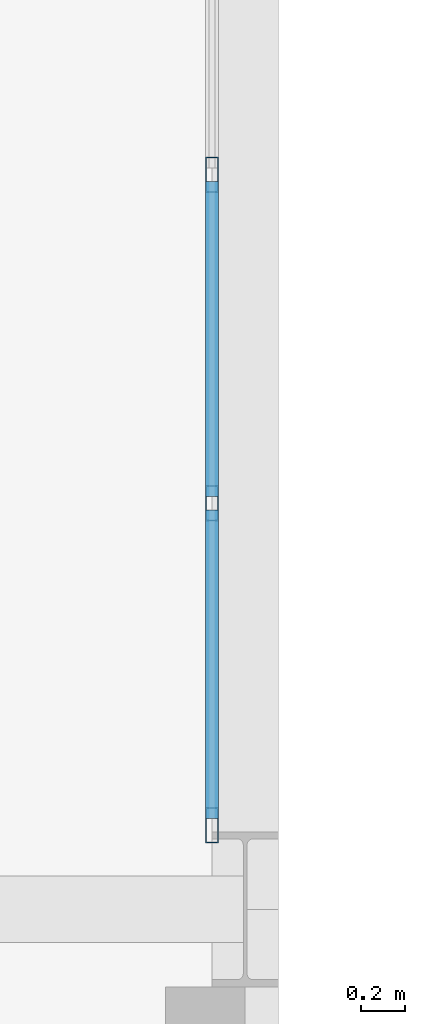
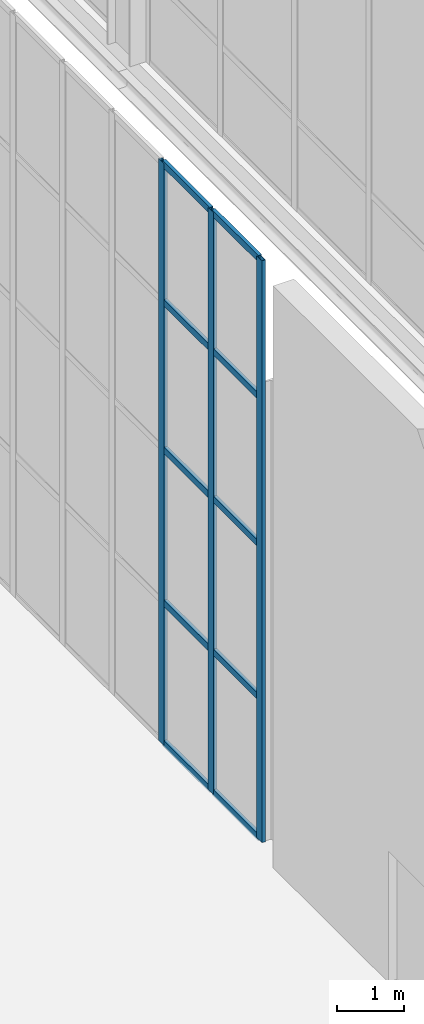
# One storey, part 55 of 131: 13 members, 1 element without a shape of its own.
"""IFC4 building model written with IfcOpenShell, lengths in metres."""

from ifc_helpers import new_model, si_unit, direction, frame, origin, origin_2d, place, context, subcontext, project, spatial, hollow_rectangle, extrude, material, material_profile, profile_set, type_object, element, aggregate, save


model = new_model("IFC4")

# Units and contexts
model_context = context("Model", 3, precision=1e-05, world=origin(), true_north=direction((0.0, 1.0)))
body_context = subcontext(model_context, "Body", "Model", "MODEL_VIEW")
ifc_project = project(units=[si_unit("LENGTHUNIT", "METRE"), si_unit("AREAUNIT", "SQUARE_METRE"), si_unit("VOLUMEUNIT", "CUBIC_METRE"), si_unit("PLANEANGLEUNIT", "RADIAN"), si_unit("MASSUNIT", "GRAM", prefix="KILO")], contexts=[model_context])

# Site, building, storey
site_placement = place(None, origin())
site = spatial("IfcSite", under=ifc_project, at=site_placement, CompositionType="ELEMENT")
building_placement = place(site_placement, origin())
building = spatial("IfcBuilding", under=site, at=building_placement, Name="Veltarok Museum of Natural Sciences", CompositionType="ELEMENT")
storey_placement = place(building_placement, origin())
storey = spatial("IfcBuildingStorey", under=building, at=storey_placement, Name="L00", CompositionType="ELEMENT", Elevation=0.0)

# Curtain wall, members
ifc_material_1 = material(Name="Low-iron triple insulated glass", Category="glass")
curtain_wall_type = type_object("IfcCurtainWallType", Name="Curtain Wall System CW-PAS-NE-JK-890x1065 (Sculpture Court East Passage J-K 890x1065cm)", PredefinedType="NOTDEFINED", material=ifc_material_1)
curtain_wall_placement = place(storey_placement, origin())
curtain_wall = element("IfcCurtainWall", 1, at=curtain_wall_placement, inside=storey, type_object=curtain_wall_type, Name="Curtain Wall CW-PAS-NE-JK-890x1065 CW-0047", PredefinedType="NOTDEFINED")
ifc_material_2 = material(Name="Thermally broken anodised aluminium", Category="aluminium")
ifc_material_profile_1 = material_profile(ifc_material_2, hollow_rectangle(XDim=0.06005859375, YDim=0.1201171875, WallThickness=0.0048828125, at=origin_2d()), Name="CW TRANSOM 60x120x5")
ifc_profile_set_1 = profile_set([ifc_material_profile_1], Name="Thermally broken anodised aluminium")
member_type_1 = type_object("IfcMemberType", Name="Curtain Wall Horizontal Transom 60x120x5", PredefinedType="USERDEFINED", material=ifc_profile_set_1)
member_1_placement = place(storey_placement, frame((48.25, 82.010009765625, 0.030029296875), z_axis=(0.0, 1.0, 0.0), x_axis=(-1.0, 0.0, 0.0)))
member_1 = element("IfcMember", 2, at=member_1_placement, type_object=member_type_1, Name="CW-PAS-NE-JK-890x1065 transom 1.1", ObjectType="TRANSOM", PredefinedType="USERDEFINED", context=body_context, shape_type="SweptSolid", body=[
    extrude(hollow_rectangle(XDim=0.06005859375, YDim=0.1201171875, WallThickness=0.0048828125, at=origin_2d()), origin(), (0.0, 0.0, 1.0), 1.393310546875),
])
member_2_placement = place(storey_placement, frame((48.25, 82.010009765625, 2.60009765625), z_axis=(0.0, 1.0, 0.0), x_axis=(-1.0, 0.0, 0.0)))
member_2 = element("IfcMember", 3, at=member_2_placement, type_object=member_type_1, Name="CW-PAS-NE-JK-890x1065 transom 1.2", ObjectType="TRANSOM", PredefinedType="USERDEFINED", context=body_context, shape_type="SweptSolid", body=[
    extrude(hollow_rectangle(XDim=0.06005859375, YDim=0.1201171875, WallThickness=0.0048828125, at=origin_2d()), origin(), (0.0, 0.0, 1.0), 1.393310546875),
])
member_3_placement = place(storey_placement, frame((48.25, 82.010009765625, 5.39990234375), z_axis=(0.0, 1.0, 0.0), x_axis=(-1.0, 0.0, 0.0)))
member_3 = element("IfcMember", 4, at=member_3_placement, type_object=member_type_1, Name="CW-PAS-NE-JK-890x1065 transom 1.3", ObjectType="TRANSOM", PredefinedType="USERDEFINED", context=body_context, shape_type="SweptSolid", body=[
    extrude(hollow_rectangle(XDim=0.06005859375, YDim=0.1201171875, WallThickness=0.0048828125, at=origin_2d()), origin(), (0.0, 0.0, 1.0), 1.393310546875),
])
member_4_placement = place(storey_placement, frame((48.25, 82.010009765625, 8.10009765625), z_axis=(0.0, 1.0, 0.0), x_axis=(-1.0, 0.0, 0.0)))
member_4 = element("IfcMember", 5, at=member_4_placement, type_object=member_type_1, Name="CW-PAS-NE-JK-890x1065 transom 1.4", ObjectType="TRANSOM", PredefinedType="USERDEFINED", context=body_context, shape_type="SweptSolid", body=[
    extrude(hollow_rectangle(XDim=0.06005859375, YDim=0.1201171875, WallThickness=0.0048828125, at=origin_2d()), origin(), (0.0, 0.0, 1.0), 1.393310546875),
])
member_5_placement = place(storey_placement, frame((48.25, 82.010009765625, 10.6201171875), z_axis=(0.0, 1.0, 0.0), x_axis=(-1.0, 0.0, 0.0)))
member_5 = element("IfcMember", 6, at=member_5_placement, type_object=member_type_1, Name="CW-PAS-NE-JK-890x1065 transom 1.5", ObjectType="TRANSOM", PredefinedType="USERDEFINED", context=body_context, shape_type="SweptSolid", body=[
    extrude(hollow_rectangle(XDim=0.06005859375, YDim=0.1201171875, WallThickness=0.0048828125, at=origin_2d()), origin(), (0.0, 0.0, 1.0), 1.393310546875),
])
member_6_placement = place(storey_placement, frame((48.25, 83.46337890625, 0.030029296875), z_axis=(0.0, 1.0, 0.0), x_axis=(-1.0, 0.0, 0.0)))
member_6 = element("IfcMember", 7, at=member_6_placement, type_object=member_type_1, Name="CW-PAS-NE-JK-890x1065 transom 2.1", ObjectType="TRANSOM", PredefinedType="USERDEFINED", context=body_context, shape_type="SweptSolid", body=[
    extrude(hollow_rectangle(XDim=0.06005859375, YDim=0.1201171875, WallThickness=0.0048828125, at=origin_2d()), origin(), (0.0, 0.0, 1.0), 1.42333984375),
])
member_7_placement = place(storey_placement, frame((48.25, 83.46337890625, 2.60009765625), z_axis=(0.0, 1.0, 0.0), x_axis=(-1.0, 0.0, 0.0)))
member_7 = element("IfcMember", 8, at=member_7_placement, type_object=member_type_1, Name="CW-PAS-NE-JK-890x1065 transom 2.2", ObjectType="TRANSOM", PredefinedType="USERDEFINED", context=body_context, shape_type="SweptSolid", body=[
    extrude(hollow_rectangle(XDim=0.06005859375, YDim=0.1201171875, WallThickness=0.0048828125, at=origin_2d()), origin(), (0.0, 0.0, 1.0), 1.42333984375),
])
member_8_placement = place(storey_placement, frame((48.25, 83.46337890625, 5.39990234375), z_axis=(0.0, 1.0, 0.0), x_axis=(-1.0, 0.0, 0.0)))
member_8 = element("IfcMember", 9, at=member_8_placement, type_object=member_type_1, Name="CW-PAS-NE-JK-890x1065 transom 2.3", ObjectType="TRANSOM", PredefinedType="USERDEFINED", context=body_context, shape_type="SweptSolid", body=[
    extrude(hollow_rectangle(XDim=0.06005859375, YDim=0.1201171875, WallThickness=0.0048828125, at=origin_2d()), origin(), (0.0, 0.0, 1.0), 1.42333984375),
])
member_9_placement = place(storey_placement, frame((48.25, 83.46337890625, 8.10009765625), z_axis=(0.0, 1.0, 0.0), x_axis=(-1.0, 0.0, 0.0)))
member_9 = element("IfcMember", 10, at=member_9_placement, type_object=member_type_1, Name="CW-PAS-NE-JK-890x1065 transom 2.4", ObjectType="TRANSOM", PredefinedType="USERDEFINED", context=body_context, shape_type="SweptSolid", body=[
    extrude(hollow_rectangle(XDim=0.06005859375, YDim=0.1201171875, WallThickness=0.0048828125, at=origin_2d()), origin(), (0.0, 0.0, 1.0), 1.42333984375),
])
member_10_placement = place(storey_placement, frame((48.25, 83.46337890625, 10.6201171875), z_axis=(0.0, 1.0, 0.0), x_axis=(-1.0, 0.0, 0.0)))
member_10 = element("IfcMember", 11, at=member_10_placement, type_object=member_type_1, Name="CW-PAS-NE-JK-890x1065 transom 2.5", ObjectType="TRANSOM", PredefinedType="USERDEFINED", context=body_context, shape_type="SweptSolid", body=[
    extrude(hollow_rectangle(XDim=0.06005859375, YDim=0.1201171875, WallThickness=0.0048828125, at=origin_2d()), origin(), (0.0, 0.0, 1.0), 1.42333984375),
])
ifc_material_profile_2 = material_profile(ifc_material_2, hollow_rectangle(XDim=0.06005859375, YDim=0.159912109375, WallThickness=0.0048828125, at=origin_2d()), Name="CW MULLION 60x160x5")
ifc_profile_set_2 = profile_set([ifc_material_profile_2], Name="Thermally broken anodised aluminium")
member_type_2 = type_object("IfcMemberType", Name="Curtain Wall Vertical Mullion 60x160x5", PredefinedType="MULLION", material=ifc_profile_set_2)
member_11_placement = place(storey_placement, frame((48.25, 81.97998046875, 0.0), z_axis=(0.0, 0.0, 1.0), x_axis=(-1.0, 0.0, 0.0)))
member_11 = element("IfcMember", 12, at=member_11_placement, type_object=member_type_2, Name="CW-PAS-NE-JK-890x1065 mullion 1", PredefinedType="MULLION", context=body_context, shape_type="SweptSolid", body=[
    extrude(hollow_rectangle(XDim=0.06005859375, YDim=0.159912109375, WallThickness=0.0048828125, at=origin_2d()), origin(), (0.0, 0.0, 1.0), 10.64990234375),
])
member_12_placement = place(storey_placement, frame((48.25, 83.433349609375, 0.0), z_axis=(0.0, 0.0, 1.0), x_axis=(-1.0, 0.0, 0.0)))
member_12 = element("IfcMember", 13, at=member_12_placement, type_object=member_type_2, Name="CW-PAS-NE-JK-890x1065 mullion 2", PredefinedType="MULLION", context=body_context, shape_type="SweptSolid", body=[
    extrude(hollow_rectangle(XDim=0.06005859375, YDim=0.159912109375, WallThickness=0.0048828125, at=origin_2d()), origin(), (0.0, 0.0, 1.0), 10.64990234375),
])
member_13_placement = place(storey_placement, frame((48.25, 84.916748046875, 0.0), z_axis=(0.0, 0.0, 1.0), x_axis=(-1.0, 0.0, 0.0)))
member_13 = element("IfcMember", 14, at=member_13_placement, type_object=member_type_2, Name="CW-PAS-NE-JK-890x1065 mullion 3", PredefinedType="MULLION", context=body_context, shape_type="SweptSolid", body=[
    extrude(hollow_rectangle(XDim=0.06005859375, YDim=0.159912109375, WallThickness=0.0048828125, at=origin_2d()), origin(), (0.0, 0.0, 1.0), 10.64990234375),
])
aggregate(curtain_wall, [member_11, member_12, member_13, member_1, member_2, member_3, member_4, member_5, member_6, member_7, member_8, member_9, member_10])

save(model, "model.ifc")
